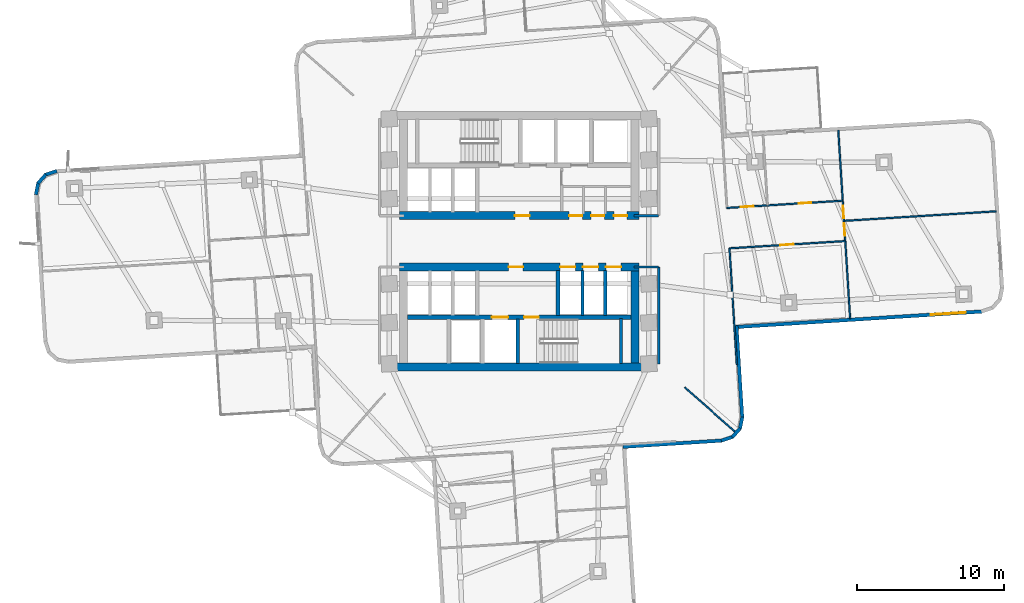
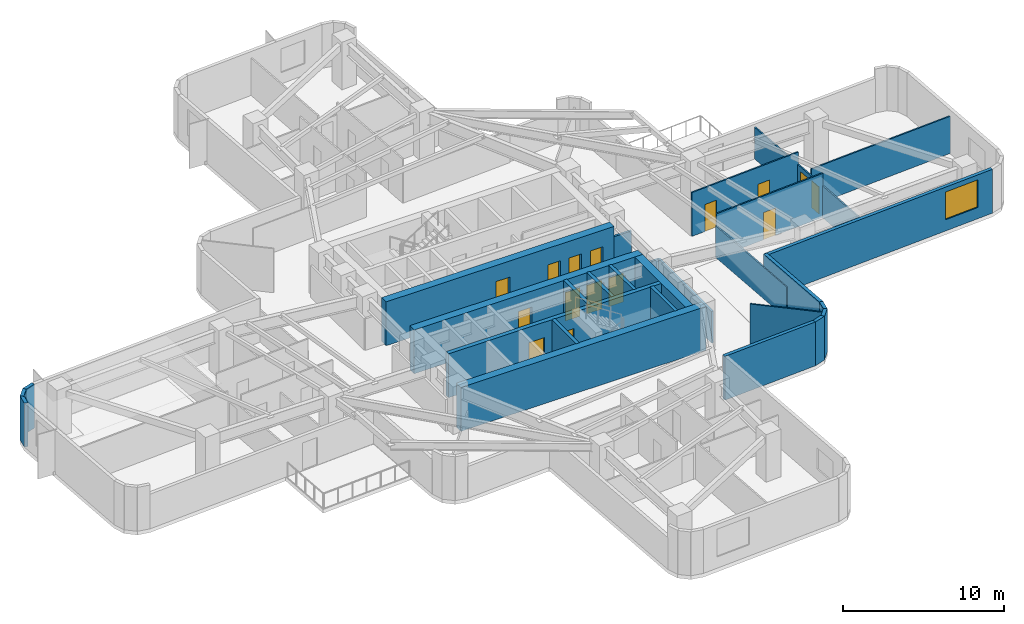
# One storey, part 4 of 11: 28 walls, 15 doors, 1 window, 16 openings.
"""IFC4 building model written with IfcOpenShell, lengths in metres."""

from ifc_helpers import new_model, si_unit, direction, frame, frame_2d, origin, place, context, subcontext, project, spatial, rectangle, extrude, material, layer, layer_set, type_object, element, fill, save


model = new_model("IFC4")

# Units and contexts
model_context = context("Model", 3, precision=1e-05, world=origin(), true_north=direction((0.0, 1.0)))
body_context = subcontext(model_context, "Body", "Model", "MODEL_VIEW")
ifc_project = project(units=[si_unit("LENGTHUNIT", "METRE"), si_unit("AREAUNIT", "SQUARE_METRE"), si_unit("VOLUMEUNIT", "CUBIC_METRE"), si_unit("PLANEANGLEUNIT", "RADIAN"), si_unit("MASSUNIT", "GRAM", prefix="KILO")], contexts=[model_context])

# Site, building, storey
site_placement = place(None, origin())
site = spatial("IfcSite", under=ifc_project, at=site_placement, CompositionType="ELEMENT")
building_placement = place(site_placement, origin())
building = spatial("IfcBuilding", under=site, at=building_placement, Name="Solmarez Civic Tower", CompositionType="ELEMENT")
storey_placement = place(building_placement, frame((0.0, 0.0, 49.679931640625)))
storey = spatial("IfcBuildingStorey", under=building, at=storey_placement, Name="L12", CompositionType="ELEMENT", Elevation=49.679931640625)

# Wall, openings, doors
ifc_material_1 = material(Name="Concrete C60/75", Category="concrete")
ifc_layer_1 = layer(ifc_material_1, 0.550048828125)
ifc_layer_set_1 = layer_set([ifc_layer_1], Name="Concrete C60/75")
wall_type_1 = type_object("IfcWallType", Name="WALL-CORE-550", PredefinedType="SHEAR", material=ifc_layer_set_1)
wall_1_placement = place(storey_placement, frame((8.169921875, 1.75, 0.0), z_axis=(0.0, 0.0, 1.0), x_axis=(-1.0, 0.0, 0.0)))
wall_1 = element("IfcWall", 1, at=wall_1_placement, inside=storey, type_object=wall_type_1, Name="L12 Split-Core Structural Wall NCW-S-L12", PredefinedType="SHEAR", context=body_context, shape_type="SweptSolid", body=[
    extrude(rectangle(XDim=16.33984375, YDim=0.550048828125, at=frame_2d((8.169921875, 0.0))), origin(), (0.0, 0.0, 1.0), 3.320068359375),
])
opening_1_placement = place(wall_1_placement, frame((7.449951171875, 0.0, 0.0)))
opening_1 = element("IfcOpeningElement", 2, at=opening_1_placement, cuts=wall_1, Name="Opening D-04", PredefinedType="OPENING", context=body_context, shape_type="SweptSolid", body=[
    extrude(rectangle(XDim=1.0, YDim=2.10009765625, at=frame_2d((0.5, 1.050048828125))), frame((0.0, 0.284912109375, 0.0), z_axis=(0.0, -1.0, 0.0), x_axis=(1.0, 0.0, 0.0)), (0.0, 0.0, 1.0), 0.570068359375),
])
opening_2_placement = place(wall_1_placement, frame((3.85009765625, 0.0, 0.0)))
opening_2 = element("IfcOpeningElement", 3, at=opening_2_placement, cuts=wall_1, Name="Opening D-09", PredefinedType="OPENING", context=body_context, shape_type="SweptSolid", body=[
    extrude(rectangle(XDim=0.89990234375, YDim=2.06005859375, at=frame_2d((0.449951171875, 1.030029296875))), frame((0.0, 0.284912109375, 0.0), z_axis=(0.0, -1.0, 0.0), x_axis=(1.0, 0.0, 0.0)), (0.0, 0.0, 1.0), 0.570068359375),
])
opening_3_placement = place(wall_1_placement, frame((2.35009765625, 0.0, 0.0)))
opening_3 = element("IfcOpeningElement", 4, at=opening_3_placement, cuts=wall_1, Name="Opening D-09", PredefinedType="OPENING", context=body_context, shape_type="SweptSolid", body=[
    extrude(rectangle(XDim=0.89990234375, YDim=2.06005859375, at=frame_2d((0.449951171875, 1.030029296875))), frame((0.0, 0.284912109375, 0.0), z_axis=(0.0, -1.0, 0.0), x_axis=(1.0, 0.0, 0.0)), (0.0, 0.0, 1.0), 0.570068359375),
])
opening_4_placement = place(wall_1_placement, frame((0.800048828125, 0.0, 0.0)))
opening_4 = element("IfcOpeningElement", 5, at=opening_4_placement, cuts=wall_1, Name="Opening D-09", PredefinedType="OPENING", context=body_context, shape_type="SweptSolid", body=[
    extrude(rectangle(XDim=0.89990234375, YDim=2.06005859375, at=frame_2d((0.449951171875, 1.030029296875))), frame((0.0, 0.284912109375, 0.0), z_axis=(0.0, -1.0, 0.0), x_axis=(1.0, 0.0, 0.0)), (0.0, 0.0, 1.0), 0.570068359375),
])
ifc_material_2 = material(Name="Steel-Faced Acoustic Fire Door", Category="steel")
door_type_1 = type_object("IfcDoorType", Name="DOOR-FD60-1000", OperationType="NOTDEFINED", PredefinedType="DOOR", material=ifc_material_2)
door_1_placement = place(opening_1_placement, origin())
door_1 = element("IfcDoor", 6, at=door_1_placement, inside=storey, type_object=door_type_1, Name="L12 North Firefighting Lobby Door", OperationType="SINGLE_SWING_LEFT", OverallHeight=2.10009765625, OverallWidth=1.0, PredefinedType="DOOR", context=body_context, shape_type="SweptSolid", body=[
    extrude(rectangle(XDim=1.0, YDim=2.10009765625, at=frame_2d((0.5, 1.050048828125))), frame((0.0, 0.02490234375, 0.0), z_axis=(0.0, -1.0, 0.0), x_axis=(1.0, 0.0, 0.0)), (0.0, 0.0, 1.0), 0.050048828125),
])
fill(opening_1, door_1)
ifc_material_3 = material(Name="Fire-Rated Service Core Door", Category="wood")
door_type_2 = type_object("IfcDoorType", Name="DOOR-FD60-900", OperationType="NOTDEFINED", PredefinedType="DOOR", material=ifc_material_3)
door_2_placement = place(opening_2_placement, origin())
door_2 = element("IfcDoor", 7, at=door_2_placement, inside=storey, type_object=door_type_2, Name="L12 Core WC Door", OperationType="SINGLE_SWING_RIGHT", OverallHeight=2.06005859375, OverallWidth=0.89990234375, PredefinedType="DOOR", context=body_context, shape_type="SweptSolid", body=[
    extrude(rectangle(XDim=0.89990234375, YDim=2.06005859375, at=frame_2d((0.449951171875, 1.030029296875))), frame((0.0, 0.02490234375, 0.0), z_axis=(0.0, -1.0, 0.0), x_axis=(1.0, 0.0, 0.0)), (0.0, 0.0, 1.0), 0.050048828125),
])
fill(opening_2, door_2)
door_3_placement = place(opening_3_placement, origin())
door_3 = element("IfcDoor", 8, at=door_3_placement, inside=storey, type_object=door_type_2, Name="L12 Core CL Door", OperationType="SINGLE_SWING_LEFT", OverallHeight=2.06005859375, OverallWidth=0.89990234375, PredefinedType="DOOR", context=body_context, shape_type="SweptSolid", body=[
    extrude(rectangle(XDim=0.89990234375, YDim=2.06005859375, at=frame_2d((0.449951171875, 1.030029296875))), frame((0.0, 0.02490234375, 0.0), z_axis=(0.0, -1.0, 0.0), x_axis=(1.0, 0.0, 0.0)), (0.0, 0.0, 1.0), 0.050048828125),
])
fill(opening_3, door_3)
door_4_placement = place(opening_4_placement, origin())
door_4 = element("IfcDoor", 9, at=door_4_placement, inside=storey, type_object=door_type_2, Name="L12 Core IT Door", OperationType="SINGLE_SWING_LEFT", OverallHeight=2.06005859375, OverallWidth=0.89990234375, PredefinedType="DOOR", context=body_context, shape_type="SweptSolid", body=[
    extrude(rectangle(XDim=0.89990234375, YDim=2.06005859375, at=frame_2d((0.449951171875, 1.030029296875))), frame((0.0, 0.02490234375, 0.0), z_axis=(0.0, -1.0, 0.0), x_axis=(1.0, 0.0, 0.0)), (0.0, 0.0, 1.0), 0.050048828125),
])
fill(opening_4, door_4)

# Wall
wall_2_placement = place(storey_placement, frame((8.780029296875, -8.5849609375, 0.0), z_axis=(0.0, 0.0, 1.0), x_axis=(-1.0, 0.0, 0.0)))
element("IfcWall", 10, at=wall_2_placement, inside=storey, type_object=wall_type_1, Name="L12 Split-Core Structural Wall SCW-S-L12", PredefinedType="SHEAR", context=body_context, shape_type="SweptSolid", body=[
    extrude(rectangle(XDim=17.56005859375, YDim=0.550048828125, at=frame_2d((8.780029296875, 0.0))), origin(), (0.0, 0.0, 1.0), 3.320068359375),
])

# Wall, openings, doors
wall_3_placement = place(storey_placement, frame((-8.169921875, -1.75, 0.0), z_axis=(0.0, 0.0, 1.0), x_axis=(1.0, 0.0, 0.0)))
wall_3 = element("IfcWall", 11, at=wall_3_placement, inside=storey, type_object=wall_type_1, Name="L12 Split-Core Structural Wall SCW-N-L12", PredefinedType="SHEAR", context=body_context, shape_type="SweptSolid", body=[
    extrude(rectangle(XDim=16.33984375, YDim=0.550048828125, at=frame_2d((8.169921875, 0.0))), origin(), (0.0, 0.0, 1.0), 3.320068359375),
])
opening_5_placement = place(wall_3_placement, frame((7.449951171875, 0.0, 0.0)))
opening_5 = element("IfcOpeningElement", 12, at=opening_5_placement, cuts=wall_3, Name="Opening D-04", PredefinedType="OPENING", context=body_context, shape_type="SweptSolid", body=[
    extrude(rectangle(XDim=1.0, YDim=2.10009765625, at=frame_2d((0.5, 1.050048828125))), frame((0.0, 0.284912109375, 0.0), z_axis=(0.0, -1.0, 0.0), x_axis=(1.0, 0.0, 0.0)), (0.0, 0.0, 1.0), 0.570068359375),
])
opening_6_placement = place(wall_3_placement, frame((10.965087890625, 0.0, 0.0)))
opening_6 = element("IfcOpeningElement", 13, at=opening_6_placement, cuts=wall_3, Name="Opening LD-01", PredefinedType="OPENING", context=body_context, shape_type="SweptSolid", body=[
    extrude(rectangle(XDim=1.050048828125, YDim=2.14990234375, at=frame_2d((0.52490234375, 1.074951171875))), frame((0.0, 0.284912109375, 0.0), z_axis=(0.0, -1.0, 0.0), x_axis=(1.0, 0.0, 0.0)), (0.0, 0.0, 1.0), 0.570068359375),
])
opening_7_placement = place(wall_3_placement, frame((12.52490234375, 0.0, 0.0)))
opening_7 = element("IfcOpeningElement", 14, at=opening_7_placement, cuts=wall_3, Name="Opening LD-01", PredefinedType="OPENING", context=body_context, shape_type="SweptSolid", body=[
    extrude(rectangle(XDim=1.050048828125, YDim=2.14990234375, at=frame_2d((0.52490234375, 1.074951171875))), frame((0.0, 0.284912109375, 0.0), z_axis=(0.0, -1.0, 0.0), x_axis=(1.0, 0.0, 0.0)), (0.0, 0.0, 1.0), 0.570068359375),
])
opening_8_placement = place(wall_3_placement, frame((14.0849609375, 0.0, 0.0)))
opening_8 = element("IfcOpeningElement", 15, at=opening_8_placement, cuts=wall_3, Name="Opening LD-01", PredefinedType="OPENING", context=body_context, shape_type="SweptSolid", body=[
    extrude(rectangle(XDim=1.050048828125, YDim=2.14990234375, at=frame_2d((0.52490234375, 1.074951171875))), frame((0.0, 0.284912109375, 0.0), z_axis=(0.0, -1.0, 0.0), x_axis=(1.0, 0.0, 0.0)), (0.0, 0.0, 1.0), 0.570068359375),
])
door_5_placement = place(opening_5_placement, origin())
door_5 = element("IfcDoor", 16, at=door_5_placement, inside=storey, type_object=door_type_1, Name="L12 South Firefighting Lobby Door", OperationType="SINGLE_SWING_RIGHT", OverallHeight=2.10009765625, OverallWidth=1.0, PredefinedType="DOOR", context=body_context, shape_type="SweptSolid", body=[
    extrude(rectangle(XDim=1.0, YDim=2.10009765625, at=frame_2d((0.5, 1.050048828125))), frame((0.0, 0.02490234375, 0.0), z_axis=(0.0, -1.0, 0.0), x_axis=(1.0, 0.0, 0.0)), (0.0, 0.0, 1.0), 0.050048828125),
])
fill(opening_5, door_5)
ifc_material_4 = material(Name="Bronze Passenger Lift Landing Sliding Door", Category="aluminium")
door_type_3 = type_object("IfcDoorType", Name="DOOR-LD-PAX-1050", OperationType="DOUBLE_DOOR_SLIDING", PredefinedType="DOOR", material=ifc_material_4)
door_6_placement = place(opening_6_placement, origin())
door_6 = element("IfcDoor", 17, at=door_6_placement, inside=storey, type_object=door_type_3, Name="L12 Low-Rise Lift Landing Door PL-L1", OperationType="DOUBLE_DOOR_SLIDING", OverallHeight=2.14990234375, OverallWidth=1.050048828125, PredefinedType="DOOR", context=body_context, shape_type="SweptSolid", body=[
    extrude(rectangle(XDim=1.050048828125, YDim=2.14990234375, at=frame_2d((0.52490234375, 1.074951171875))), frame((0.0, 0.02490234375, 0.0), z_axis=(0.0, -1.0, 0.0), x_axis=(1.0, 0.0, 0.0)), (0.0, 0.0, 1.0), 0.050048828125),
])
fill(opening_6, door_6)
door_7_placement = place(opening_7_placement, origin())
door_7 = element("IfcDoor", 18, at=door_7_placement, inside=storey, type_object=door_type_3, Name="L12 Low-Rise Lift Landing Door PL-L2", OperationType="DOUBLE_DOOR_SLIDING", OverallHeight=2.14990234375, OverallWidth=1.050048828125, PredefinedType="DOOR", context=body_context, shape_type="SweptSolid", body=[
    extrude(rectangle(XDim=1.050048828125, YDim=2.14990234375, at=frame_2d((0.52490234375, 1.074951171875))), frame((0.0, 0.02490234375, 0.0), z_axis=(0.0, -1.0, 0.0), x_axis=(1.0, 0.0, 0.0)), (0.0, 0.0, 1.0), 0.050048828125),
])
fill(opening_7, door_7)
door_8_placement = place(opening_8_placement, origin())
door_8 = element("IfcDoor", 19, at=door_8_placement, inside=storey, type_object=door_type_3, Name="L12 Low-Rise Lift Landing Door PL-L3", OperationType="DOUBLE_DOOR_SLIDING", OverallHeight=2.14990234375, OverallWidth=1.050048828125, PredefinedType="DOOR", context=body_context, shape_type="SweptSolid", body=[
    extrude(rectangle(XDim=1.050048828125, YDim=2.14990234375, at=frame_2d((0.52490234375, 1.074951171875))), frame((0.0, 0.02490234375, 0.0), z_axis=(0.0, -1.0, 0.0), x_axis=(1.0, 0.0, 0.0)), (0.0, 0.0, 1.0), 0.050048828125),
])
fill(opening_8, door_8)

# Walls
wall_4_placement = place(storey_placement, frame((7.89501953125, -2.02490234375, 0.0), z_axis=(0.0, 0.0, 1.0), x_axis=(0.0, -1.0, 0.0)))
element("IfcWall", 20, at=wall_4_placement, inside=storey, type_object=wall_type_1, Name="L12 Split-Core Structural Wall SCW-E-L12", PredefinedType="SHEAR", context=body_context, shape_type="SweptSolid", body=[
    extrude(rectangle(XDim=6.28515625, YDim=0.550048828125, at=frame_2d((3.142578125, 0.0))), origin(), (0.0, 0.0, 1.0), 3.320068359375),
])
ifc_material_5 = material(Name="Precast concrete C40/50", Category="concrete")
ifc_layer_2 = layer(ifc_material_5, 0.239990234375)
ifc_layer_set_2 = layer_set([ifc_layer_2], Name="Precast concrete C40/50")
wall_type_2 = type_object("IfcWallType", Name="WALL-EXT-240", PredefinedType="SOLIDWALL", material=ifc_layer_set_2)
wall_5_placement = place(storey_placement, frame((-32.950927734375, 3.177001953125, 0.0), z_axis=(0.0, 0.0, 1.0), x_axis=(0.197076231398, 0.980388167522, 0.0)))
element("IfcWall", 21, at=wall_5_placement, inside=storey, type_object=wall_type_2, Name="L12 Exterior Precast Wall 7", PredefinedType="SOLIDWALL", context=body_context, shape_type="SweptSolid", body=[
    extrude(rectangle(XDim=0.831298828125, YDim=0.239990234375, at=frame_2d((0.41552734375, 0.0))), origin(), (0.0, 0.0, 1.0), 3.320068359375),
])
wall_6_placement = place(storey_placement, frame((-32.80908203125, 3.947998046875, 0.0), z_axis=(0.0, 0.0, 1.0), x_axis=(0.661532449753, 0.749916540639, 0.0)))
element("IfcWall", 22, at=wall_6_placement, inside=storey, type_object=wall_type_2, Name="L12 Exterior Precast Wall 8", PredefinedType="SOLIDWALL", context=body_context, shape_type="SweptSolid", body=[
    extrude(rectangle(XDim=0.81494140625, YDim=0.239990234375, at=frame_2d((0.407470703125, 0.0))), origin(), (0.0, 0.0, 1.0), 3.320068359375),
])
wall_7_placement = place(storey_placement, frame((-32.31103515625, 4.531982421875, 0.0), z_axis=(0.0, 0.0, 1.0), x_axis=(0.94779876374, 0.318869100812, 0.0)))
element("IfcWall", 23, at=wall_7_placement, inside=storey, type_object=wall_type_2, Name="L12 Exterior Precast Wall 9", PredefinedType="SOLIDWALL", context=body_context, shape_type="SweptSolid", body=[
    extrude(rectangle(XDim=0.83154296875, YDim=0.239990234375, at=frame_2d((0.415771484375, 0.0))), origin(), (0.0, 0.0, 1.0), 3.320068359375),
])

# Wall, opening, window
wall_8_placement = place(storey_placement, frame((31.572021484375, -4.787109375, 0.0), z_axis=(0.0, 0.0, 1.0), x_axis=(-0.998025974342, -0.062802504235, 0.0)))
wall_8 = element("IfcWall", 24, at=wall_8_placement, inside=storey, type_object=wall_type_2, Name="L12 Exterior Precast Wall 46", PredefinedType="SOLIDWALL", context=body_context, shape_type="SweptSolid", body=[
    extrude(rectangle(XDim=16.875244140625, YDim=0.239990234375, at=frame_2d((8.4375, 0.0))), origin(), (0.0, 0.0, 1.0), 3.320068359375),
])
opening_9_placement = place(wall_8_placement, frame((1.10009765625, 0.0, 0.85009765625)))
opening_9 = element("IfcOpeningElement", 25, at=opening_9_placement, cuts=wall_8, Name="Opening W-02", PredefinedType="OPENING", context=body_context, shape_type="SweptSolid", body=[
    extrude(rectangle(XDim=2.39990234375, YDim=2.10009765625, at=frame_2d((1.199951171875, 1.050048828125))), frame((0.0, 0.1298828125, 0.0), z_axis=(0.0, -1.0, 0.0), x_axis=(1.0, 0.0, 0.0)), (0.0, 0.0, 1.0), 0.260009765625),
])
ifc_material_6 = material(Name="Solar Control Bronze-Tinted Insulating Glass", Category="glass")
window_type = type_object("IfcWindowType", Name="WIN-2400X2100", PartitioningType="SINGLE_PANEL", PredefinedType="WINDOW", material=ifc_material_6)
window_placement = place(opening_9_placement, origin())
window = element("IfcWindow", 26, at=window_placement, inside=storey, type_object=window_type, Name="L12 Exterior Facade Window 46", OverallHeight=2.10009765625, OverallWidth=2.39990234375, PartitioningType="SINGLE_PANEL", PredefinedType="WINDOW", context=body_context, shape_type="SweptSolid", body=[
    extrude(rectangle(XDim=2.39990234375, YDim=2.10009765625, at=frame_2d((1.199951171875, 1.050048828125))), frame((0.0, 0.030029296875, 0.0), z_axis=(0.0, -1.0, 0.0), x_axis=(1.0, 0.0, 0.0)), (0.0, 0.0, 1.0), 0.06005859375),
])
fill(opening_9, window)

# Walls
wall_9_placement = place(storey_placement, frame((14.820068359375, -5.7451171875, 0.0), z_axis=(0.0, 0.0, 1.0), x_axis=(0.062902193405, -0.998019696231, 0.0)))
element("IfcWall", 27, at=wall_9_placement, inside=storey, type_object=wall_type_2, Name="L12 Exterior Precast Wall 49", PredefinedType="SOLIDWALL", context=body_context, shape_type="SweptSolid", body=[
    extrude(rectangle(XDim=6.29541015625, YDim=0.239990234375, at=frame_2d((3.147705078125, 0.0))), origin(), (0.0, 0.0, 1.0), 3.320068359375),
])
wall_10_placement = place(storey_placement, frame((15.218994140625, -11.97802734375, 0.0), z_axis=(0.0, 0.0, 1.0), x_axis=(-0.198715846348, -0.980057147523, 0.0)))
element("IfcWall", 28, at=wall_10_placement, inside=storey, type_object=wall_type_2, Name="L12 Exterior Precast Wall 50", PredefinedType="SOLIDWALL", context=body_context, shape_type="SweptSolid", body=[
    extrude(rectangle(XDim=0.83056640625, YDim=0.239990234375, at=frame_2d((0.415283203125, 0.0))), origin(), (0.0, 0.0, 1.0), 3.320068359375),
])
wall_11_placement = place(storey_placement, frame((15.075927734375, -12.748046875, 0.0), z_axis=(0.0, 0.0, 1.0), x_axis=(-0.66076961759, -0.750588777208, 0.0)))
element("IfcWall", 29, at=wall_11_placement, inside=storey, type_object=wall_type_2, Name="L12 Exterior Precast Wall 51", PredefinedType="SOLIDWALL", context=body_context, shape_type="SweptSolid", body=[
    extrude(rectangle(XDim=0.8154296875, YDim=0.239990234375, at=frame_2d((0.40771484375, 0.0))), origin(), (0.0, 0.0, 1.0), 3.320068359375),
])
wall_12_placement = place(storey_placement, frame((14.577880859375, -13.3330078125, 0.0), z_axis=(0.0, 0.0, 1.0), x_axis=(-0.948093326492, -0.317992207862, 0.0)))
element("IfcWall", 30, at=wall_12_placement, inside=storey, type_object=wall_type_2, Name="L12 Exterior Precast Wall 52", PredefinedType="SOLIDWALL", context=body_context, shape_type="SweptSolid", body=[
    extrude(rectangle(XDim=0.829833984375, YDim=0.239990234375, at=frame_2d((0.4150390625, 0.0))), origin(), (0.0, 0.0, 1.0), 3.320068359375),
])
wall_13_placement = place(storey_placement, frame((13.840087890625, -13.5869140625, 0.0), z_axis=(0.0, 0.0, 1.0), x_axis=(-0.998021898782, -0.062867237505, 0.0)))
element("IfcWall", 31, at=wall_13_placement, inside=storey, type_object=wall_type_2, Name="L12 Exterior Precast Wall 53", PredefinedType="SOLIDWALL", context=body_context, shape_type="SweptSolid", body=[
    extrude(rectangle(XDim=6.776611328125, YDim=0.239990234375, at=frame_2d((3.38818359375, 0.0))), origin(), (0.0, 0.0, 1.0), 3.320068359375),
])
ifc_material_7 = material(Name="Gypsum Board Acoustic Steel-Stud Partition", Category="steel")
ifc_layer_3 = layer(ifc_material_7, 0.14990234375)
ifc_layer_set_3 = layer_set([ifc_layer_3], Name="Gypsum Board Acoustic Steel-Stud Partition")
wall_type_3 = type_object("IfcWallType", Name="WALL-INT-FIRE-150", PredefinedType="PARTITIONING", material=ifc_layer_set_3)
wall_14_placement = place(storey_placement, frame((7.85009765625, 1.75, 0.0), z_axis=(0.0, 0.0, 1.0), x_axis=(1.0, 0.0, 0.0)))
element("IfcWall", 32, at=wall_14_placement, inside=storey, type_object=wall_type_3, Name="L12 Interior Partition CHW-L12-EN3", PredefinedType="PARTITIONING", context=body_context, shape_type="SweptSolid", body=[
    extrude(rectangle(XDim=1.669921875, YDim=0.14990234375, at=frame_2d((0.8349609375, 0.0))), origin(), (0.0, 0.0, 1.0), 2.385009765625),
])
wall_15_placement = place(storey_placement, frame((9.52001953125, -8.3798828125, 0.0), z_axis=(0.0, 0.0, 1.0), x_axis=(0.0, 1.0, 0.0)))
element("IfcWall", 33, at=wall_15_placement, inside=storey, type_object=wall_type_3, Name="L12 Interior Partition CHW-L12-ES1", PredefinedType="PARTITIONING", context=body_context, shape_type="SweptSolid", body=[
    extrude(rectangle(XDim=6.6298828125, YDim=0.14990234375, at=frame_2d((3.31494140625, 0.0))), origin(), (0.0, 0.0, 1.0), 2.401123046875),
])
wall_16_placement = place(storey_placement, frame((7.85009765625, -1.75, 0.0), z_axis=(0.0, 0.0, 1.0), x_axis=(1.0, 0.0, 0.0)))
element("IfcWall", 34, at=wall_16_placement, inside=storey, type_object=wall_type_3, Name="L12 Interior Partition CHW-L12-ES3", PredefinedType="PARTITIONING", context=body_context, shape_type="SweptSolid", body=[
    extrude(rectangle(XDim=1.669921875, YDim=0.14990234375, at=frame_2d((0.8349609375, 0.0))), origin(), (0.0, 0.0, 1.0), 2.385009765625),
])
ifc_layer_4 = layer(ifc_material_7, 0.10009765625)
ifc_layer_set_4 = layer_set([ifc_layer_4], Name="Gypsum Board Acoustic Steel-Stud Partition")
wall_type_4 = type_object("IfcWallType", Name="WALL-INT-PART-100", PredefinedType="PARTITIONING", material=ifc_layer_set_4)
wall_17_placement = place(storey_placement, frame((11.300048828125, -9.9619140625, 0.0), z_axis=(0.0, 0.0, 1.0), x_axis=(0.750020974917, -0.661414043686, 0.0)))
element("IfcWall", 35, at=wall_17_placement, inside=storey, type_object=wall_type_4, Name="L12 Interior Partition PT-L12-QDIV-4", PredefinedType="PARTITIONING", context=body_context, shape_type="SweptSolid", body=[
    extrude(rectangle(XDim=4.59033203125, YDim=0.10009765625, at=frame_2d((2.295166015625, 0.0))), origin(), (0.0, 0.0, 1.0), 3.320068359375),
])
wall_18_placement = place(storey_placement, frame((14.846923828125, -8.404052734375, 0.0), z_axis=(0.0, 0.0, 1.0), x_axis=(-0.062772139706, 0.998027884619, 0.0)))
element("IfcWall", 36, at=wall_18_placement, inside=storey, type_object=wall_type_4, Name="L12 Interior Partition PT-L12-E-EFR", PredefinedType="PARTITIONING", context=body_context, shape_type="SweptSolid", body=[
    extrude(rectangle(XDim=7.94970703125, YDim=0.10009765625, at=frame_2d((3.974853515625, 0.0))), origin(), (0.0, 0.0, 1.0), 2.401123046875),
])

# Wall, openings, doors
wall_19_placement = place(storey_placement, frame((22.070068359375, 2.77099609375, 0.0), z_axis=(0.0, 0.0, 1.0), x_axis=(-0.998031627252, -0.062712606425, 0.0)))
wall_19 = element("IfcWall", 37, at=wall_19_placement, inside=storey, type_object=wall_type_4, Name="L12 Interior Partition PT-L12-E-SL", PredefinedType="PARTITIONING", context=body_context, shape_type="SweptSolid", body=[
    extrude(rectangle(XDim=7.91064453125, YDim=0.10009765625, at=frame_2d((3.955322265625, 0.0))), origin(), (0.0, 0.0, 1.0), 3.320068359375),
])
opening_10_placement = place(wall_19_placement, frame((6.095947265625, 0.0, 0.0)))
opening_10 = element("IfcOpeningElement", 38, at=opening_10_placement, cuts=wall_19, Name="Opening D-14", PredefinedType="OPENING", context=body_context, shape_type="SweptSolid", body=[
    extrude(rectangle(XDim=0.860107421875, YDim=2.0400390625, at=frame_2d((0.43017578125, 1.02001953125))), frame((0.0, 0.06005859375, 0.0), z_axis=(0.0, -1.0, 0.0), x_axis=(1.0, 0.0, 0.0)), (0.0, 0.0, 1.0), 0.1201171875),
])
opening_11_placement = place(wall_19_placement, frame((2.14111328125, 0.0, 0.0)))
opening_11 = element("IfcOpeningElement", 39, at=opening_11_placement, cuts=wall_19, Name="Opening D-14", PredefinedType="OPENING", context=body_context, shape_type="SweptSolid", body=[
    extrude(rectangle(XDim=0.860107421875, YDim=2.0400390625, at=frame_2d((0.43017578125, 1.02001953125))), frame((0.0, 0.06005859375, 0.0), z_axis=(0.0, -1.0, 0.0), x_axis=(1.0, 0.0, 0.0)), (0.0, 0.0, 1.0), 0.1201171875),
])
ifc_material_8 = material(Name="Timber Storage and Pantry Door", Category="wood")
door_type_4 = type_object("IfcDoorType", Name="DOOR-INT-850", OperationType="NOTDEFINED", PredefinedType="DOOR", material=ifc_material_8)
door_9_placement = place(opening_10_placement, origin())
door_9 = element("IfcDoor", 40, at=door_9_placement, inside=storey, type_object=door_type_4, Name="L12 Municipal Law Library First East Door", OperationType="SINGLE_SWING_LEFT", OverallHeight=2.0400390625, OverallWidth=0.860107421875, PredefinedType="DOOR", context=body_context, shape_type="SweptSolid", body=[
    extrude(rectangle(XDim=0.860107421875, YDim=2.0400390625, at=frame_2d((0.43017578125, 1.02001953125))), frame((0.0, 0.02490234375, 0.0), z_axis=(0.0, -1.0, 0.0), x_axis=(1.0, 0.0, 0.0)), (0.0, 0.0, 1.0), 0.050048828125),
])
fill(opening_10, door_9)
door_10_placement = place(opening_11_placement, origin())
door_10 = element("IfcDoor", 41, at=door_10_placement, inside=storey, type_object=door_type_4, Name="L12 Public Reading Room Second East Door", OperationType="SINGLE_SWING_RIGHT", OverallHeight=2.0400390625, OverallWidth=0.860107421875, PredefinedType="DOOR", context=body_context, shape_type="SweptSolid", body=[
    extrude(rectangle(XDim=0.860107421875, YDim=2.0400390625, at=frame_2d((0.43017578125, 1.02001953125))), frame((0.0, 0.02490234375, 0.0), z_axis=(0.0, -1.0, 0.0), x_axis=(1.0, 0.0, 0.0)), (0.0, 0.0, 1.0), 0.050048828125),
])
fill(opening_11, door_10)

# Wall, opening, door
wall_20_placement = place(storey_placement, frame((14.347900390625, -0.47998046875, 0.0), z_axis=(0.0, 0.0, 1.0), x_axis=(0.998023893104, 0.062835569496, 0.0)))
wall_20 = element("IfcWall", 42, at=wall_20_placement, inside=storey, type_object=wall_type_4, Name="L12 Interior Partition PT-L12-E-SR", PredefinedType="PARTITIONING", context=body_context, shape_type="SweptSolid", body=[
    extrude(rectangle(XDim=7.91064453125, YDim=0.10009765625, at=frame_2d((3.955322265625, 0.0))), origin(), (0.0, 0.0, 1.0), 3.320068359375),
])
opening_12_placement = place(wall_20_placement, frame((3.47509765625, 0.0, 0.0)))
opening_12 = element("IfcOpeningElement", 43, at=opening_12_placement, cuts=wall_20, Name="Opening D-08", PredefinedType="OPENING", context=body_context, shape_type="SweptSolid", body=[
    extrude(rectangle(XDim=0.89990234375, YDim=2.06005859375, at=frame_2d((0.449951171875, 1.030029296875))), frame((0.0, 0.06005859375, 0.0), z_axis=(0.0, -1.0, 0.0), x_axis=(1.0, 0.0, 0.0)), (0.0, 0.0, 1.0), 0.1201171875),
])
ifc_material_9 = material(Name="Solid-Core Timber Office Door", Category="wood")
door_type_5 = type_object("IfcDoorType", Name="DOOR-INT-900", OperationType="NOTDEFINED", PredefinedType="DOOR", material=ifc_material_9)
door_11_placement = place(opening_12_placement, origin())
door_11 = element("IfcDoor", 44, at=door_11_placement, inside=storey, type_object=door_type_5, Name="L12 Legal Study Room Third East Door", OperationType="SINGLE_SWING_RIGHT", OverallHeight=2.06005859375, OverallWidth=0.89990234375, PredefinedType="DOOR", context=body_context, shape_type="SweptSolid", body=[
    extrude(rectangle(XDim=0.89990234375, YDim=2.06005859375, at=frame_2d((0.449951171875, 1.030029296875))), frame((0.0, 0.02490234375, 0.0), z_axis=(0.0, -1.0, 0.0), x_axis=(1.0, 0.0, 0.0)), (0.0, 0.0, 1.0), 0.050048828125),
])
fill(opening_12, door_11)

# Wall
wall_21_placement = place(storey_placement, frame((22.216064453125, 1.39794921875, 0.0), z_axis=(0.0, 0.0, 1.0), x_axis=(0.998025462108, 0.062810643876, 0.0)))
element("IfcWall", 45, at=wall_21_placement, inside=storey, type_object=wall_type_4, Name="L12 Interior Partition PT-L12-E-TM", PredefinedType="PARTITIONING", context=body_context, shape_type="SweptSolid", body=[
    extrude(rectangle(XDim=10.33544921875, YDim=0.10009765625, at=frame_2d((5.167724609375, 0.0))), origin(), (0.0, 0.0, 1.0), 2.81201171875),
])

# Wall, openings, doors
wall_22_placement = place(storey_placement, frame((21.76708984375, 7.576904296875, 0.0), z_axis=(0.0, 0.0, 1.0), x_axis=(0.062769180357, -0.998028070746, 0.0)))
wall_22 = element("IfcWall", 46, at=wall_22_placement, inside=storey, type_object=wall_type_4, Name="L12 Interior Partition PT-L12-E-END", PredefinedType="PARTITIONING", context=body_context, shape_type="SweptSolid", body=[
    extrude(rectangle(XDim=12.870361328125, YDim=0.10009765625, at=frame_2d((6.43505859375, 0.0))), origin(), (0.0, 0.0, 1.0), 2.401123046875),
])
opening_13_placement = place(wall_22_placement, frame((6.364990234375, 0.0, 0.0)))
opening_13 = element("IfcOpeningElement", 47, at=opening_13_placement, cuts=wall_22, Name="Opening D-14", PredefinedType="OPENING", context=body_context, shape_type="SweptSolid", body=[
    extrude(rectangle(XDim=0.860107421875, YDim=2.0400390625, at=frame_2d((0.43017578125, 1.02001953125))), frame((0.0, 0.06005859375, 0.0), z_axis=(0.0, -1.0, 0.0), x_axis=(1.0, 0.0, 0.0)), (0.0, 0.0, 1.0), 0.1201171875),
])
opening_14_placement = place(wall_22_placement, frame((5.1650390625, 0.0, 0.0)))
opening_14 = element("IfcOpeningElement", 48, at=opening_14_placement, cuts=wall_22, Name="Opening D-14", PredefinedType="OPENING", context=body_context, shape_type="SweptSolid", body=[
    extrude(rectangle(XDim=0.860107421875, YDim=2.0400390625, at=frame_2d((0.43017578125, 1.02001953125))), frame((0.0, 0.06005859375, 0.0), z_axis=(0.0, -1.0, 0.0), x_axis=(1.0, 0.0, 0.0)), (0.0, 0.0, 1.0), 0.1201171875),
])
door_12_placement = place(opening_13_placement, origin())
door_12 = element("IfcDoor", 49, at=door_12_placement, inside=storey, type_object=door_type_4, Name="L12 Policy Administration Office Sixth East Door", OperationType="SINGLE_SWING_RIGHT", OverallHeight=2.0400390625, OverallWidth=0.860107421875, PredefinedType="DOOR", context=body_context, shape_type="SweptSolid", body=[
    extrude(rectangle(XDim=0.860107421875, YDim=2.0400390625, at=frame_2d((0.43017578125, 1.02001953125))), frame((0.0, 0.02490234375, 0.0), z_axis=(0.0, -1.0, 0.0), x_axis=(1.0, 0.0, 0.0)), (0.0, 0.0, 1.0), 0.050048828125),
])
fill(opening_13, door_12)
door_13_placement = place(opening_14_placement, origin())
door_13 = element("IfcDoor", 50, at=door_13_placement, inside=storey, type_object=door_type_4, Name="L12 Legal Study Room Fifth East Door", OperationType="SINGLE_SWING_LEFT", OverallHeight=2.0400390625, OverallWidth=0.860107421875, PredefinedType="DOOR", context=body_context, shape_type="SweptSolid", body=[
    extrude(rectangle(XDim=0.860107421875, YDim=2.0400390625, at=frame_2d((0.43017578125, 1.02001953125))), frame((0.0, 0.02490234375, 0.0), z_axis=(0.0, -1.0, 0.0), x_axis=(1.0, 0.0, 0.0)), (0.0, 0.0, 1.0), 0.050048828125),
])
fill(opening_14, door_13)

ifc_material_10 = material(Name="Concrete C50/60", Category="concrete")
ifc_layer_5 = layer(ifc_material_10, 0.300048828125)
ifc_layer_set_5 = layer_set([ifc_layer_5], Name="Concrete C50/60")
wall_type_5 = type_object("IfcWallType", Name="WALL-STR-300", PredefinedType="SOLIDWALL", material=ifc_layer_set_5)
wall_23_placement = place(storey_placement, frame((-7.6201171875, -5.179931640625, 0.0), z_axis=(0.0, 0.0, 1.0), x_axis=(1.0, 0.0, 0.0)))
wall_23 = element("IfcWall", 51, at=wall_23_placement, inside=storey, type_object=wall_type_5, Name="L12 Split-Core Structural Wall SCW-M-L12", PredefinedType="SOLIDWALL", context=body_context, shape_type="SweptSolid", body=[
    extrude(rectangle(XDim=15.240234375, YDim=0.300048828125, at=frame_2d((7.6201171875, 0.0))), origin(), (0.0, 0.0, 1.0), 3.320068359375),
])
opening_15_placement = place(wall_23_placement, frame((5.77001953125, 0.0, 0.0)))
opening_15 = element("IfcOpeningElement", 52, at=opening_15_placement, cuts=wall_23, Name="Opening LD-02", PredefinedType="OPENING", context=body_context, shape_type="SweptSolid", body=[
    extrude(rectangle(XDim=1.10009765625, YDim=2.14990234375, at=frame_2d((0.550048828125, 1.074951171875))), frame((0.0, 0.159912109375, 0.0), z_axis=(0.0, -1.0, 0.0), x_axis=(1.0, 0.0, 0.0)), (0.0, 0.0, 1.0), 0.320068359375),
])
opening_16_placement = place(wall_23_placement, frame((7.969970703125, 0.0, 0.0)))
opening_16 = element("IfcOpeningElement", 53, at=opening_16_placement, cuts=wall_23, Name="Opening D-05", PredefinedType="OPENING", context=body_context, shape_type="SweptSolid", body=[
    extrude(rectangle(XDim=1.0, YDim=2.10009765625, at=frame_2d((0.5, 1.050048828125))), frame((0.0, 0.159912109375, 0.0), z_axis=(0.0, -1.0, 0.0), x_axis=(1.0, 0.0, 0.0)), (0.0, 0.0, 1.0), 0.320068359375),
])
ifc_material_11 = material(Name="Fire-Rated Stairwell Exit Door", Category="wood")
door_type_6 = type_object("IfcDoorType", Name="DOOR-FD90-1000", OperationType="NOTDEFINED", PredefinedType="DOOR", material=ifc_material_11)
door_14_placement = place(opening_16_placement, origin())
door_14 = element("IfcDoor", 54, at=door_14_placement, inside=storey, type_object=door_type_6, Name="L12 South Exit Stair Door ST-2", OperationType="SINGLE_SWING_RIGHT", OverallHeight=2.10009765625, OverallWidth=1.0, PredefinedType="DOOR", context=body_context, shape_type="SweptSolid", body=[
    extrude(rectangle(XDim=1.0, YDim=2.10009765625, at=frame_2d((0.5, 1.050048828125))), frame((0.0, 0.02490234375, 0.0), z_axis=(0.0, -1.0, 0.0), x_axis=(1.0, 0.0, 0.0)), (0.0, 0.0, 1.0), 0.050048828125),
])
fill(opening_16, door_14)
ifc_material_12 = material(Name="Stainless Firefighting Lift Landing Sliding Door", Category="aluminium")
door_type_7 = type_object("IfcDoorType", Name="DOOR-LD-FF-1100", OperationType="DOUBLE_DOOR_SLIDING", PredefinedType="DOOR", material=ifc_material_12)
door_15_placement = place(opening_15_placement, origin())
door_15 = element("IfcDoor", 55, at=door_15_placement, inside=storey, type_object=door_type_7, Name="L12 Firefighting Lift Landing Door FFL-2", OperationType="DOUBLE_DOOR_SLIDING", OverallHeight=2.14990234375, OverallWidth=1.10009765625, PredefinedType="DOOR", context=body_context, shape_type="SweptSolid", body=[
    extrude(rectangle(XDim=1.10009765625, YDim=2.14990234375, at=frame_2d((0.550048828125, 1.074951171875))), frame((0.0, 0.02490234375, 0.0), z_axis=(0.0, -1.0, 0.0), x_axis=(1.0, 0.0, 0.0)), (0.0, 0.0, 1.0), 0.050048828125),
])
fill(opening_15, door_15)

# Walls
wall_24_placement = place(storey_placement, frame((6.949951171875, -8.340087890625, 0.0), z_axis=(0.0, 0.0, 1.0), x_axis=(0.0, 1.0, 0.0)))
element("IfcWall", 56, at=wall_24_placement, inside=storey, type_object=wall_type_5, Name="L12 Split-Core Structural Wall SHW-SE-L12", PredefinedType="SOLIDWALL", context=body_context, shape_type="SweptSolid", body=[
    extrude(rectangle(XDim=3.06005859375, YDim=0.219970703125, at=frame_2d((1.530029296875, 0.0))), origin(), (0.0, 0.0, 1.0), 3.320068359375),
])
wall_25_placement = place(storey_placement, frame((-0.10009765625, -8.340087890625, 0.0), z_axis=(0.0, 0.0, 1.0), x_axis=(0.0, 1.0, 0.0)))
element("IfcWall", 57, at=wall_25_placement, inside=storey, type_object=wall_type_5, Name="L12 Split-Core Structural Wall SHW-S1-L12", PredefinedType="SOLIDWALL", context=body_context, shape_type="SweptSolid", body=[
    extrude(rectangle(XDim=3.0400390625, YDim=0.25, at=frame_2d((1.52001953125, 0.0))), origin(), (0.0, 0.0, 1.0), 3.320068359375),
])
wall_26_placement = place(storey_placement, frame((2.64990234375, -5.050048828125, 0.0), z_axis=(0.0, 0.0, 1.0), x_axis=(0.0, 1.0, 0.0)))
element("IfcWall", 58, at=wall_26_placement, inside=storey, type_object=wall_type_5, Name="L12 Split-Core Structural Wall SHW-SL2-L12", PredefinedType="SOLIDWALL", context=body_context, shape_type="SweptSolid", body=[
    extrude(rectangle(XDim=3.070068359375, YDim=0.25, at=frame_2d((1.53515625, 0.0))), origin(), (0.0, 0.0, 1.0), 3.320068359375),
])
for number, where, z_axis, x_axis, name in (
    (59, (4.320068359375, -5.050048828125, 0.0), (0.0, 0.0, 1.0), (0.0, 1.0, 0.0), "L12 Split-Core Structural Wall SHW-PLL-L12-1"),
    (60, (5.8798828125, -5.050048828125, 0.0), (0.0, 0.0, 1.0), (0.0, 1.0, 0.0), "L12 Split-Core Structural Wall SHW-PLL-L12-2"),
):
    element("IfcWall", number, at=place(storey_placement, frame(where, z_axis=z_axis, x_axis=x_axis)), inside=storey, type_object=wall_type_5, Name=name, PredefinedType="SOLIDWALL", context=body_context, shape_type="SweptSolid", body=[
        extrude(rectangle(XDim=3.070068359375, YDim=0.219970703125, at=frame_2d((1.53515625, 0.0))), origin(), (0.0, 0.0, 1.0), 3.320068359375),
    ])

save(model, "model.ifc")
